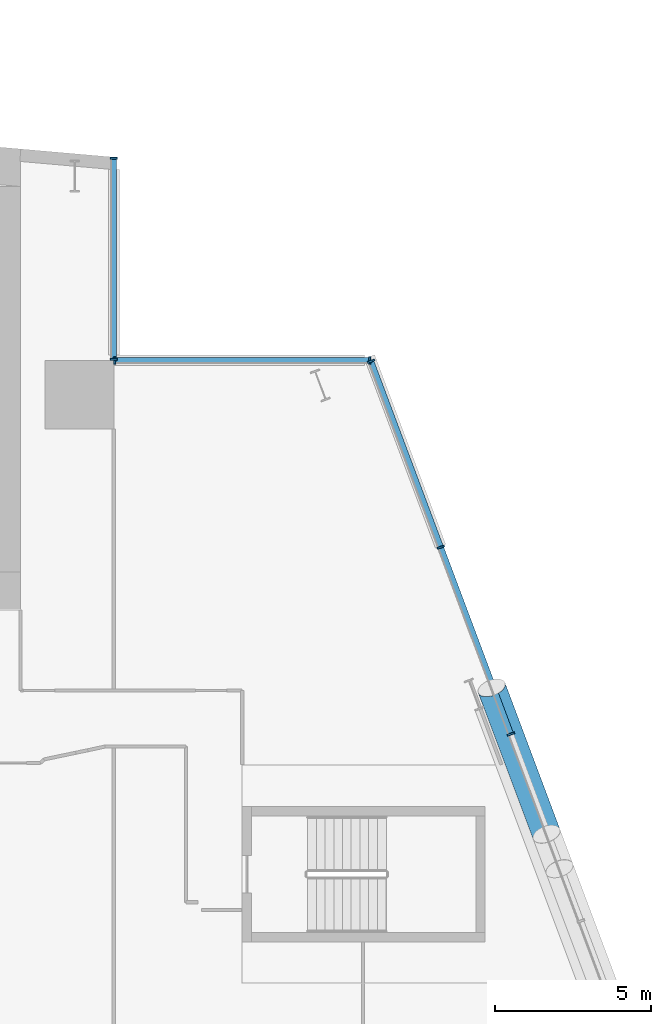
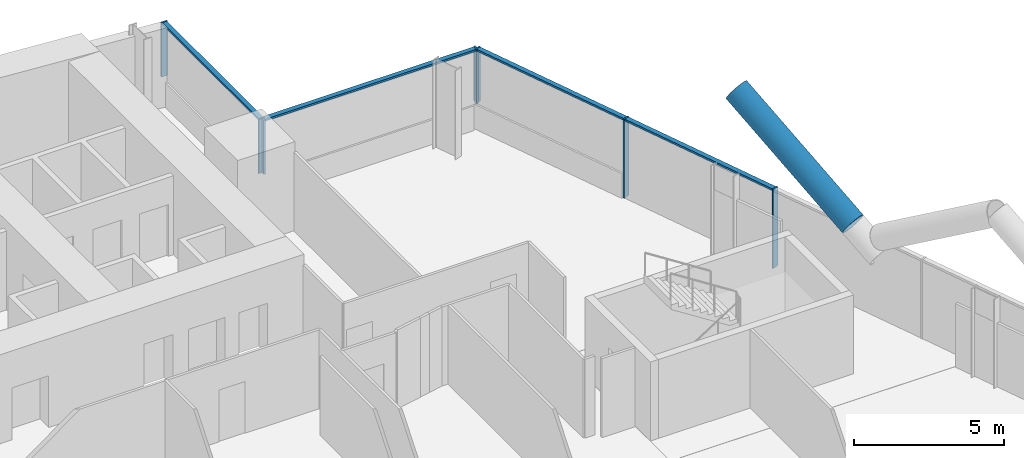
# One storey, part 10 of 27: 12 members, 3 elements without a shape of their own.
"""IFC4 building model written with IfcOpenShell, lengths in metres."""

from ifc_helpers import new_model, si_unit, direction, frame, origin, origin_2d, place, context, subcontext, project, spatial, rectangle, hollow_circle, extrude, material, material_profile, profile_set, type_object, element, aggregate, save


model = new_model("IFC4")

# Units and contexts
model_context = context("Model", 3, precision=1e-05, world=origin(), true_north=direction((0.0, 1.0)))
body_context = subcontext(model_context, "Body", "Model", "MODEL_VIEW")
ifc_project = project(units=[si_unit("LENGTHUNIT", "METRE"), si_unit("AREAUNIT", "SQUARE_METRE"), si_unit("VOLUMEUNIT", "CUBIC_METRE"), si_unit("PLANEANGLEUNIT", "RADIAN"), si_unit("MASSUNIT", "GRAM", prefix="KILO")], contexts=[model_context])

# Site, building, storey
site_placement = place(None, origin())
site = spatial("IfcSite", under=ifc_project, at=site_placement, CompositionType="ELEMENT")
building_placement = place(site_placement, origin())
building = spatial("IfcBuilding", under=site, at=building_placement, Name="Wharfspan Tower", CompositionType="ELEMENT")
storey_placement = place(building_placement, frame((0.0, 0.0, 48.699951)))
storey = spatial("IfcBuildingStorey", under=building, at=storey_placement, Name="L08", CompositionType="ELEMENT", Elevation=48.699951)

# Curtain wall, members
ifc_material_1 = material(Name="Aluminium 6063-T6", Category="aluminium")
curtain_wall_type = type_object("IfcCurtainWallType", Name="CURTAIN WALL PROW AND END", PredefinedType="NOTDEFINED", material=ifc_material_1)
curtain_wall_1_placement = place(storey_placement, origin())
curtain_wall_1 = element("IfcCurtainWall", 1, at=curtain_wall_1_placement, inside=storey, type_object=curtain_wall_type, Name="Curtain wall E", PredefinedType="NOTDEFINED")
ifc_material_profile_1 = material_profile(ifc_material_1, rectangle(XDim=0.23999, YDim=0.060059, at=origin_2d()))
ifc_profile_set_1 = profile_set([ifc_material_profile_1], Name="Aluminium 6063-T6")
member_type_1 = type_object("IfcMemberType", Name="MULLION PROW AND END 60x240", PredefinedType="MULLION", material=ifc_profile_set_1)
member_1_placement = place(storey_placement, frame((80.75, 30.0, 0.0), z_axis=(0.0, 0.0, 1.0), x_axis=(-0.936328, -0.351123, 0.0)))
member_1 = element("IfcMember", 2, at=member_1_placement, type_object=member_type_1, Name="Curtain wall E mullion 6", PredefinedType="MULLION", context=body_context, shape_type="SweptSolid", body=[
    extrude(rectangle(XDim=0.23999, YDim=0.060059, at=origin_2d()), origin(), (0.0, 0.0, 1.0), 3.199951),
])
member_2_placement = place(storey_placement, frame((78.5, 36.0, 0.0), z_axis=(0.0, 0.0, 1.0), x_axis=(-0.936328, -0.351123, 0.0)))
member_2 = element("IfcMember", 3, at=member_2_placement, type_object=member_type_1, Name="Curtain wall E mullion 7", PredefinedType="MULLION", context=body_context, shape_type="SweptSolid", body=[
    extrude(rectangle(XDim=0.23999, YDim=0.060059, at=origin_2d()), origin(), (0.0, 0.0, 1.0), 3.199951),
])
member_3_placement = place(storey_placement, frame((76.260498, 41.971924, 1.0), z_axis=(0.0, 0.0, 1.0), x_axis=(-0.936328, -0.351123, 0.0)))
member_3 = element("IfcMember", 4, at=member_3_placement, type_object=member_type_1, Name="Curtain wall E mullion 8", PredefinedType="MULLION", context=body_context, shape_type="SweptSolid", body=[
    extrude(rectangle(XDim=0.23999, YDim=0.060059, at=origin_2d()), origin(), (0.0, 0.0, 1.0), 2.199951),
])

curtain_wall_2_placement = place(storey_placement, origin())
curtain_wall_2 = element("IfcCurtainWall", 5, at=curtain_wall_2_placement, inside=storey, type_object=curtain_wall_type, Name="Curtain wall NRE-H", PredefinedType="NOTDEFINED")
member_4_placement = place(storey_placement, frame((76.219971, 42.0, 1.0), z_axis=(0.0, 0.0, 1.0), x_axis=(0.0, -1.0, 0.0)))
member_4 = element("IfcMember", 6, at=member_4_placement, type_object=member_type_1, Name="Curtain wall NRE-H mullion 1", PredefinedType="MULLION", context=body_context, shape_type="SweptSolid", body=[
    extrude(rectangle(XDim=0.23999, YDim=0.060059, at=origin_2d()), origin(), (0.0, 0.0, 1.0), 2.199951),
])
member_5_placement = place(storey_placement, frame((68.030029, 42.0, 1.0), z_axis=(0.0, 0.0, 1.0), x_axis=(0.0, -1.0, 0.0)))
member_5 = element("IfcMember", 7, at=member_5_placement, type_object=member_type_1, Name="Curtain wall NRE-H mullion 2", PredefinedType="MULLION", context=body_context, shape_type="SweptSolid", body=[
    extrude(rectangle(XDim=0.23999, YDim=0.060059, at=origin_2d()), origin(), (0.0, 0.0, 1.0), 2.199951),
])

curtain_wall_3_placement = place(storey_placement, origin())
curtain_wall_3 = element("IfcCurtainWall", 8, at=curtain_wall_3_placement, inside=storey, type_object=curtain_wall_type, Name="Curtain wall NRE-V", PredefinedType="NOTDEFINED")
member_6_placement = place(storey_placement, frame((68.0, 42.030029, 1.0), z_axis=(0.0, 0.0, 1.0), x_axis=(-1.0, 0.0, 0.0)))
member_6 = element("IfcMember", 9, at=member_6_placement, type_object=member_type_1, Name="Curtain wall NRE-V mullion 1", PredefinedType="MULLION", context=body_context, shape_type="SweptSolid", body=[
    extrude(rectangle(XDim=0.23999, YDim=0.060059, at=origin_2d()), origin(), (0.0, 0.0, 1.0), 2.199951),
])
member_7_placement = place(storey_placement, frame((68.0, 48.494873, 1.0), z_axis=(0.0, 0.0, 1.0), x_axis=(-1.0, 0.0, 0.0)))
member_7 = element("IfcMember", 10, at=member_7_placement, type_object=member_type_1, Name="Curtain wall NRE-V mullion 2", PredefinedType="MULLION", context=body_context, shape_type="SweptSolid", body=[
    extrude(rectangle(XDim=0.23999, YDim=0.060059, at=origin_2d()), origin(), (0.0, 0.0, 1.0), 2.199951),
])

# Member
ifc_material_2 = material(Name="Steel S460NH", Category="steel")
ifc_material_profile_2 = material_profile(ifc_material_2, hollow_circle(Radius=0.457031, WallThickness=0.040039, at=origin_2d()))
ifc_profile_set_2 = profile_set([ifc_material_profile_2], Name="Steel S460NH")
member_type_2 = type_object("IfcMemberType", Name="Mega brace CHS 914x40", PredefinedType="BRACE", material=ifc_profile_set_2)
member_8_placement = place(storey_placement, frame((81.895508, 26.788574, 3.282715), z_axis=(-0.295466, 0.787922, 0.540259), x_axis=(-0.936329, -0.351115, -4e-06)))
element("IfcMember", 11, at=member_8_placement, inside=storey, type_object=member_type_2, Name="Mega brace E6 L08 part 2", PredefinedType="BRACE", context=body_context, shape_type="SweptSolid", body=[
    extrude(hollow_circle(Radius=0.457031, WallThickness=0.040039, at=origin_2d()), origin(), (0.0, 0.0, 1.0), 5.955078),
])

ifc_material_profile_3 = material_profile(ifc_material_1, rectangle(XDim=0.179932, YDim=0.080078, at=origin_2d()))
ifc_profile_set_3 = profile_set([ifc_material_profile_3], Name="Aluminium 6063-T6")
member_type_3 = type_object("IfcMemberType", Name="TRANSOM PROW AND END 80x180", PredefinedType="USERDEFINED", material=ifc_profile_set_3)
member_9_placement = place(storey_placement, frame((80.739502, 30.028076, 3.160156), z_axis=(-0.351132, 0.936326, 0.0), x_axis=(-0.936326, -0.351132, 0.0)))
member_9 = element("IfcMember", 12, at=member_9_placement, type_object=member_type_3, Name="Curtain wall E transom 6", ObjectType="TRANSOM", PredefinedType="USERDEFINED", context=body_context, shape_type="SweptSolid", body=[
    extrude(rectangle(XDim=0.179932, YDim=0.080078, at=origin_2d()), origin(), (0.0, 0.0, 1.0), 6.348145),
])

member_10_placement = place(storey_placement, frame((78.489502, 36.028076, 3.160156), z_axis=(-0.351136, 0.936324, 0.0), x_axis=(-0.936324, -0.351136, 0.0)))
member_10 = element("IfcMember", 13, at=member_10_placement, type_object=member_type_3, Name="Curtain wall E transom 7", ObjectType="TRANSOM", PredefinedType="USERDEFINED", context=body_context, shape_type="SweptSolid", body=[
    extrude(rectangle(XDim=0.179932, YDim=0.080078, at=origin_2d()), origin(), (0.0, 0.0, 1.0), 6.318115),
])

aggregate(curtain_wall_1, [member_1, member_2, member_3, member_9, member_10])

member_11_placement = place(storey_placement, frame((76.189941, 42.0, 3.160156), z_axis=(-1.0, 0.0, 0.0), x_axis=(0.0, -1.0, 0.0)))
member_11 = element("IfcMember", 14, at=member_11_placement, type_object=member_type_3, Name="Curtain wall NRE-H transom 1", ObjectType="TRANSOM", PredefinedType="USERDEFINED", context=body_context, shape_type="SweptSolid", body=[
    extrude(rectangle(XDim=0.179932, YDim=0.080078, at=origin_2d()), origin(), (0.0, 0.0, 1.0), 8.129883),
])

aggregate(curtain_wall_2, [member_4, member_5, member_11])

member_12_placement = place(storey_placement, frame((68.0, 42.060059, 3.160156), z_axis=(0.0, 1.0, 0.0), x_axis=(-1.0, 0.0, 0.0)))
member_12 = element("IfcMember", 15, at=member_12_placement, type_object=member_type_3, Name="Curtain wall NRE-V transom 1", ObjectType="TRANSOM", PredefinedType="USERDEFINED", context=body_context, shape_type="SweptSolid", body=[
    extrude(rectangle(XDim=0.179932, YDim=0.080078, at=origin_2d()), origin(), (0.0, 0.0, 1.0), 6.404785),
])

aggregate(curtain_wall_3, [member_6, member_7, member_12])

save(model, "model.ifc")
